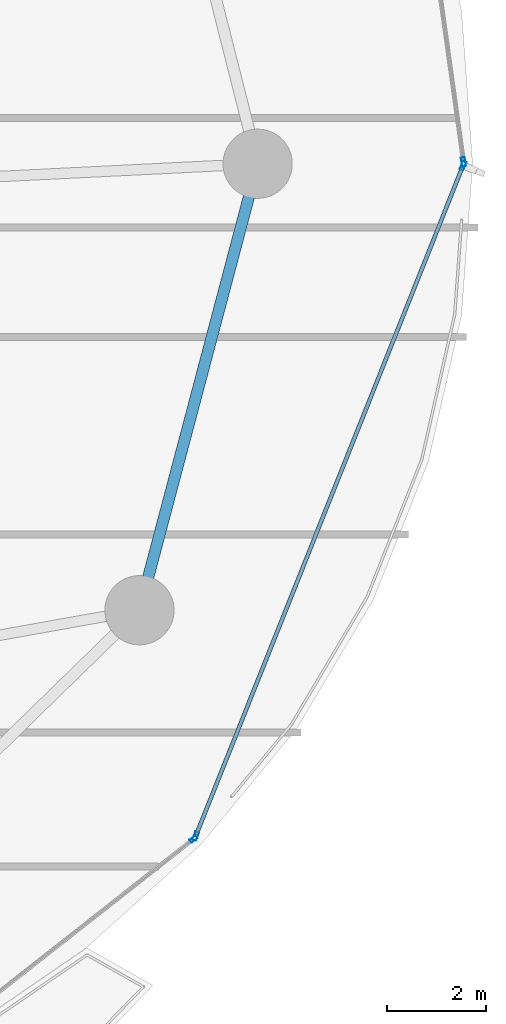
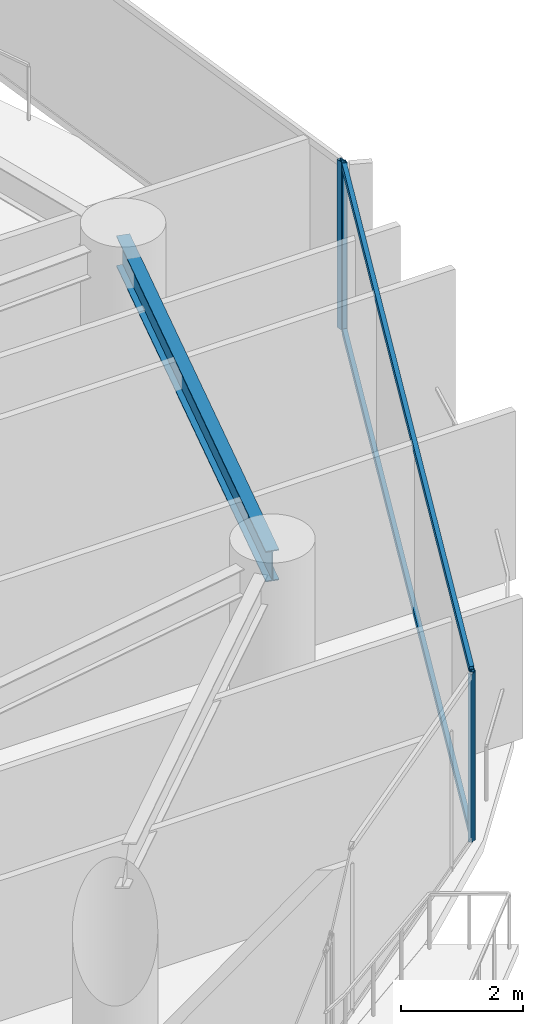
# One storey, part 22 of 32: 6 members, 1 beam, 3 elements without a shape of their own.
"""IFC4 building model written with IfcOpenShell, lengths in metres."""

from ifc_helpers import new_model, si_unit, direction, frame, origin, origin_2d, place, context, subcontext, project, spatial, hollow_rectangle, i_section, extrude, material, layer, layer_set, material_profile, profile_set, type_object, element, aggregate, save


model = new_model("IFC4")

# Units and contexts
model_context = context("Model", 3, precision=1e-05, world=origin(), true_north=direction((0.0, 1.0)))
body_context = subcontext(model_context, "Body", "Model", "MODEL_VIEW")
ifc_project = project(units=[si_unit("LENGTHUNIT", "METRE"), si_unit("AREAUNIT", "SQUARE_METRE"), si_unit("VOLUMEUNIT", "CUBIC_METRE"), si_unit("PLANEANGLEUNIT", "RADIAN"), si_unit("MASSUNIT", "GRAM", prefix="KILO")], contexts=[model_context])

# Site, building, storey
site_placement = place(None, origin())
site = spatial("IfcSite", under=ifc_project, at=site_placement, CompositionType="ELEMENT")
building_placement = place(site_placement, origin())
building = spatial("IfcBuilding", under=site, at=building_placement, Name="Kazevale Care Tower and Concert Hall", CompositionType="ELEMENT")
storey_placement = place(building_placement, frame((0.0, 0.0, 34.800048828125)))
storey = spatial("IfcBuildingStorey", under=building, at=storey_placement, Name="L08", CompositionType="ELEMENT", Elevation=34.800048828125)

# Curtain wall, members
ifc_material_1 = material(Name="Aluminium 6063-T6 and Low-E Glass", Category="aluminium")
ifc_layer_1 = layer(ifc_material_1, 0.179931640625)
ifc_layer_set_1 = layer_set([ifc_layer_1], Name="Aluminium 6063-T6 and Low-E Glass")
curtain_wall_type_1 = type_object("IfcCurtainWallType", Name="Waist & Upper Residential Curtain Wall CW-4", PredefinedType="NOTDEFINED", material=ifc_layer_set_1)
curtain_wall_1_placement = place(storey_placement, origin())
curtain_wall_1 = element("IfcCurtainWall", 1, at=curtain_wall_1_placement, inside=storey, type_object=curtain_wall_type_1, Name="cw:L08:f01", PredefinedType="NOTDEFINED")
ifc_material_2 = material(Name="Aluminium 6063-T6", Category="aluminium")
ifc_material_profile_1 = material_profile(ifc_material_2, hollow_rectangle(XDim=0.080078125, YDim=0.179931640625, WallThickness=0.0048828125, at=origin_2d()), Name="ALU80x180x5")
ifc_profile_set_1 = profile_set([ifc_material_profile_1], Name="Aluminium 6063-T6")
member_type_1 = type_object("IfcMemberType", Name="CW-4 Mullion ALU80x180x5", PredefinedType="MULLION", material=ifc_profile_set_1)
member_1_placement = place(storey_placement, frame((80.605224609375, 37.962890625, 0.0), z_axis=(0.0, 0.0, 1.0), x_axis=(0.928861412274, -0.370427424456, 0.0)))
member_1 = element("IfcMember", 2, at=member_1_placement, type_object=member_type_1, Name="CW-4 mullion 1", PredefinedType="MULLION", context=body_context, shape_type="SweptSolid", body=[
    extrude(hollow_rectangle(XDim=0.080078125, YDim=0.179931640625, WallThickness=0.0048828125, at=origin_2d()), origin(), (0.0, 0.0, 1.0), 3.35986328125),
])
member_2_placement = place(storey_placement, frame((75.19677734375, 24.401123046875, 0.0), z_axis=(0.0, 0.0, 1.0), x_axis=(0.928861412274, -0.370427424456, 0.0)))
member_2 = element("IfcMember", 3, at=member_2_placement, type_object=member_type_1, Name="CW-4 mullion 2", PredefinedType="MULLION", context=body_context, shape_type="SweptSolid", body=[
    extrude(hollow_rectangle(XDim=0.080078125, YDim=0.179931640625, WallThickness=0.0048828125, at=origin_2d()), origin(), (0.0, 0.0, 1.0), 3.35986328125),
])

# Curtain wall, member
curtain_wall_2_placement = place(storey_placement, origin())
curtain_wall_2 = element("IfcCurtainWall", 4, at=curtain_wall_2_placement, inside=storey, type_object=curtain_wall_type_1, Name="cw:L08:f18", PredefinedType="NOTDEFINED")
member_3_placement = place(storey_placement, frame((80.614501953125, 38.03955078125, 0.0), z_axis=(0.0, 0.0, 1.0), x_axis=(0.990295475282, 0.138977953775, 0.0)))
member_3 = element("IfcMember", 5, at=member_3_placement, type_object=member_type_1, Name="CW-4 mullion 2", PredefinedType="MULLION", context=body_context, shape_type="SweptSolid", body=[
    extrude(hollow_rectangle(XDim=0.080078125, YDim=0.179931640625, WallThickness=0.0048828125, at=origin_2d()), origin(), (0.0, 0.0, 1.0), 3.35986328125),
])
aggregate(curtain_wall_2, [member_3])

# Member
ifc_material_profile_2 = material_profile(ifc_material_2, hollow_rectangle(XDim=0.080078125, YDim=0.139892578125, WallThickness=0.00390625, at=origin_2d()), Name="ALU80x140x4")
ifc_profile_set_2 = profile_set([ifc_material_profile_2], Name="Aluminium 6063-T6")
member_type_2 = type_object("IfcMemberType", Name="CW-4 Transom ALU80x140x4", PredefinedType="USERDEFINED", material=ifc_profile_set_2)
member_4_placement = place(storey_placement, frame((80.59033203125, 37.92578125, 0.0400390625), z_axis=(-0.370419345682, -0.928864634026, 0.0), x_axis=(0.928864634026, -0.370419345682, 0.0)))
member_4 = element("IfcMember", 6, at=member_4_placement, type_object=member_type_2, Name="CW-4 transom 1.1", ObjectType="TRANSOM", PredefinedType="USERDEFINED", context=body_context, shape_type="SweptSolid", body=[
    extrude(hollow_rectangle(XDim=0.080078125, YDim=0.139892578125, WallThickness=0.00390625, at=origin_2d()), origin(), (0.0, 0.0, 1.0), 14.5205078125),
])

member_5_placement = place(storey_placement, frame((80.59033203125, 37.92578125, 3.320068359375), z_axis=(-0.370419345682, -0.928864634026, 0.0), x_axis=(0.928864634026, -0.370419345682, 0.0)))
member_5 = element("IfcMember", 7, at=member_5_placement, type_object=member_type_2, Name="CW-4 transom 1.2", ObjectType="TRANSOM", PredefinedType="USERDEFINED", context=body_context, shape_type="SweptSolid", body=[
    extrude(hollow_rectangle(XDim=0.080078125, YDim=0.139892578125, WallThickness=0.00390625, at=origin_2d()), origin(), (0.0, 0.0, 1.0), 14.5205078125),
])

aggregate(curtain_wall_1, [member_1, member_2, member_4, member_5])

# Curtain wall, member
ifc_layer_2 = layer(ifc_material_1, 0.179931640625)
ifc_layer_set_2 = layer_set([ifc_layer_2], Name="Aluminium 6063-T6 and Low-E Glass")
curtain_wall_type_2 = type_object("IfcCurtainWallType", Name="Sheltered Concave Balcony Curtain Wall CW-5", PredefinedType="NOTDEFINED", material=ifc_layer_set_2)
curtain_wall_3_placement = place(storey_placement, origin())
curtain_wall_3 = element("IfcCurtainWall", 8, at=curtain_wall_3_placement, inside=storey, type_object=curtain_wall_type_2, Name="cw:L08:f02", PredefinedType="NOTDEFINED")
ifc_material_profile_3 = material_profile(ifc_material_2, hollow_rectangle(XDim=0.074951171875, YDim=0.14990234375, WallThickness=0.00390625, at=origin_2d()), Name="ALU75x150x4")
ifc_profile_set_3 = profile_set([ifc_material_profile_3], Name="Aluminium 6063-T6")
member_type_3 = type_object("IfcMemberType", Name="CW-5 Mullion ALU75x150x4", PredefinedType="MULLION", material=ifc_profile_set_3)
member_6_placement = place(storey_placement, frame((75.152587890625, 24.3408203125, 0.0), z_axis=(0.0, 0.0, 1.0), x_axis=(0.617807548814, -0.78632934107, 0.0)))
member_6 = element("IfcMember", 9, at=member_6_placement, type_object=member_type_3, Name="CW-5 mullion 1", PredefinedType="MULLION", context=body_context, shape_type="SweptSolid", body=[
    extrude(hollow_rectangle(XDim=0.074951171875, YDim=0.14990234375, WallThickness=0.00390625, at=origin_2d()), origin(), (0.0, 0.0, 1.0), 3.35986328125),
])
aggregate(curtain_wall_3, [member_6])

# Beam
ifc_material_3 = material(Name="Steel ASTM A572 Gr 50", Category="steel")
ifc_material_profile_4 = material_profile(ifc_material_3, i_section(OverallWidth=0.22900390625, OverallDepth=0.612060546875, WebThickness=0.011962890625, FlangeThickness=0.01953125, at=origin_2d()), Name="W610x125")
ifc_profile_set_4 = profile_set([ifc_material_profile_4], Name="Steel ASTM A572 Gr 50")
beam_type = type_object("IfcBeamType", Name="Ring Spandrel Beam W610x125", PredefinedType="SPANDREL", material=ifc_profile_set_4)
beam_placement = place(storey_placement, frame((74.06005859375, 28.969970703125, 3.053955078125), z_axis=(0.255851611973, 0.966716066201, 0.0), x_axis=(-0.966716066201, 0.255851611973, 0.0)))
element("IfcBeam", 10, at=beam_placement, inside=storey, type_object=beam_type, Name="beam:L08:ring:16", PredefinedType="SPANDREL", context=body_context, shape_type="SweptSolid", body=[
    extrude(i_section(OverallWidth=0.22900390625, OverallDepth=0.612060546875, WebThickness=0.011962890625, FlangeThickness=0.01953125, at=origin_2d()), origin(), (0.0, 0.0, 1.0), 9.3408203125),
])

save(model, "model.ifc")
